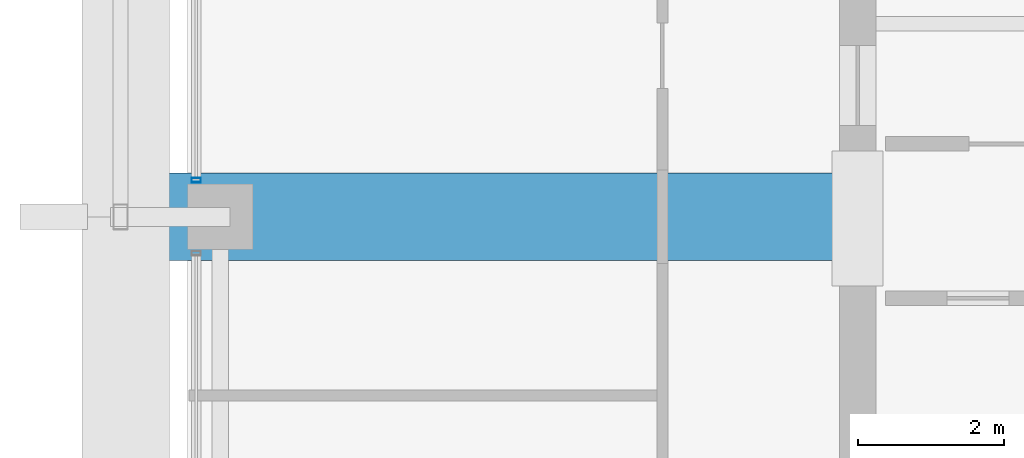
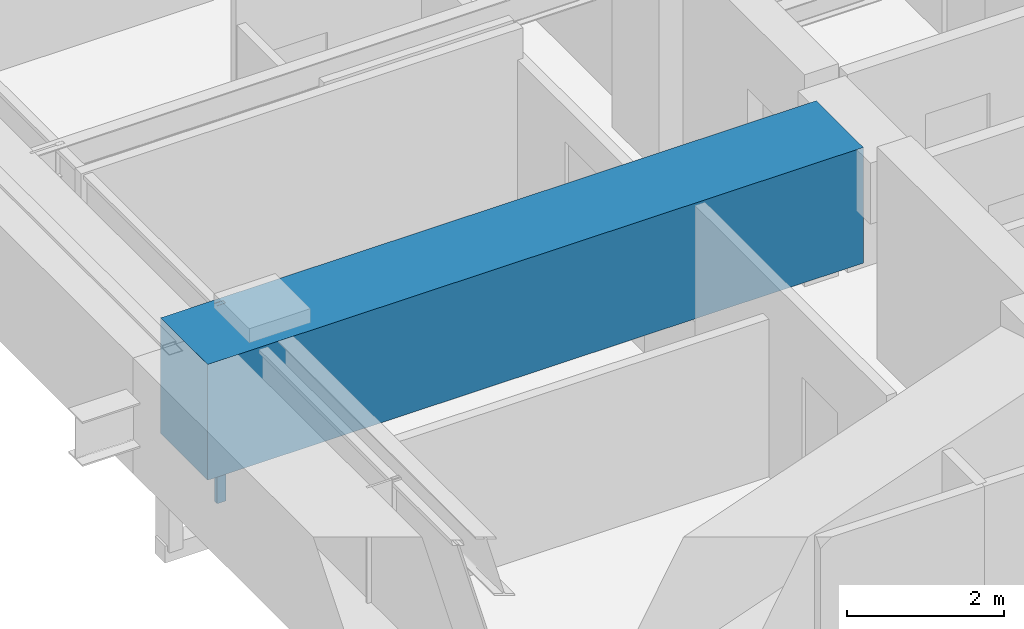
# One storey, part 9 of 40: 1 beam, 1 member, 1 element without a shape of its own.
"""IFC4 building model written with IfcOpenShell, lengths in metres."""

from ifc_helpers import new_model, si_unit, direction, frame, origin, origin_2d, place, context, subcontext, project, spatial, rectangle, hollow_rectangle, extrude, material, material_profile, profile_set, type_object, element, aggregate, save


model = new_model("IFC4")

# Units and contexts
model_context = context("Model", 3, precision=1e-05, world=origin(), true_north=direction((0.0, 1.0)))
body_context = subcontext(model_context, "Body", "Model", "MODEL_VIEW")
ifc_project = project(units=[si_unit("LENGTHUNIT", "METRE"), si_unit("AREAUNIT", "SQUARE_METRE"), si_unit("VOLUMEUNIT", "CUBIC_METRE"), si_unit("PLANEANGLEUNIT", "RADIAN"), si_unit("MASSUNIT", "GRAM", prefix="KILO")], contexts=[model_context])

# Site, building, storey
site_placement = place(None, origin())
site = spatial("IfcSite", under=ifc_project, at=site_placement, CompositionType="ELEMENT")
building_placement = place(site_placement, origin())
building = spatial("IfcBuilding", under=site, at=building_placement, Name="Kolvaren Belvedere", CompositionType="ELEMENT")
storey_placement = place(building_placement, frame((0.0, 0.0, 170.10009765625)))
storey = spatial("IfcBuildingStorey", under=building, at=storey_placement, Name="L49", CompositionType="ELEMENT", Elevation=170.10009765625)

# Beam
ifc_material_1 = material(Name="Concrete C50/60", Category="concrete")
ifc_material_profile_1 = material_profile(ifc_material_1, rectangle(XDim=1.199951171875, YDim=1.800048828125, at=origin_2d()), Name="RC 1200X1800")
ifc_profile_set_1 = profile_set([ifc_material_profile_1], Name="Concrete C50/60")
beam_type = type_object("IfcBeamType", Name="BM-TG-1800", PredefinedType="BEAM", material=ifc_profile_set_1)
beam_placement = place(storey_placement, frame((-10.14990234375, -4.60009765625, 2.179931640625), z_axis=(-1.0, 0.0, 0.0), x_axis=(0.0, -1.0, 0.0)))
element("IfcBeam", 1, at=beam_placement, inside=storey, type_object=beam_type, Name="L49 West Radial Girder M", PredefinedType="BEAM", context=body_context, shape_type="SweptSolid", body=[
    extrude(rectangle(XDim=1.199951171875, YDim=1.800048828125, at=origin_2d()), origin(), (0.0, 0.0, 1.0), 9.650146484375),
])

# Curtain wall, member
ifc_material_2 = material(Name="Anodised pale-metal aluminium AA 6063-T6", Category="aluminium")
curtain_wall_type = type_object("IfcCurtainWallType", Name="CW-Z3-WAIST", PredefinedType="NOTDEFINED", material=ifc_material_2)
curtain_wall_placement = place(storey_placement, origin())
curtain_wall = element("IfcCurtainWall", 2, at=curtain_wall_placement, inside=storey, type_object=curtain_wall_type, Name="L49 Unitised Curtain Wall FCW-L49-W-B2", PredefinedType="NOTDEFINED")
ifc_material_3 = material(Name="Anodised pale-metal aluminium AA 6063-T6", Category="aluminium")
ifc_material_profile_2 = material_profile(ifc_material_3, hollow_rectangle(XDim=0.06494140625, YDim=0.1298828125, WallThickness=0.00390625, at=origin_2d()), Name="ALU-MUL-130X65")
ifc_profile_set_2 = profile_set([ifc_material_profile_2], Name="Anodised pale-metal aluminium AA 6063-T6")
member_type = type_object("IfcMemberType", Name="CW-MUL-130", PredefinedType="MULLION", material=ifc_profile_set_2)
member_placement = place(storey_placement, frame((-18.97998046875, -4.097412109375, 0.0), z_axis=(0.0, 0.0, 1.0), x_axis=(0.0, 1.0, 0.0)))
member = element("IfcMember", 3, at=member_placement, type_object=member_type, Name="FCW-L49-W-B2 Unitised Mullion 1", PredefinedType="MULLION", context=body_context, shape_type="SweptSolid", body=[
    extrude(hollow_rectangle(XDim=0.06494140625, YDim=0.1298828125, WallThickness=0.00390625, at=origin_2d()), origin(), (0.0, 0.0, 1.0), 3.079833984375),
])
aggregate(curtain_wall, [member])

save(model, "model.ifc")
